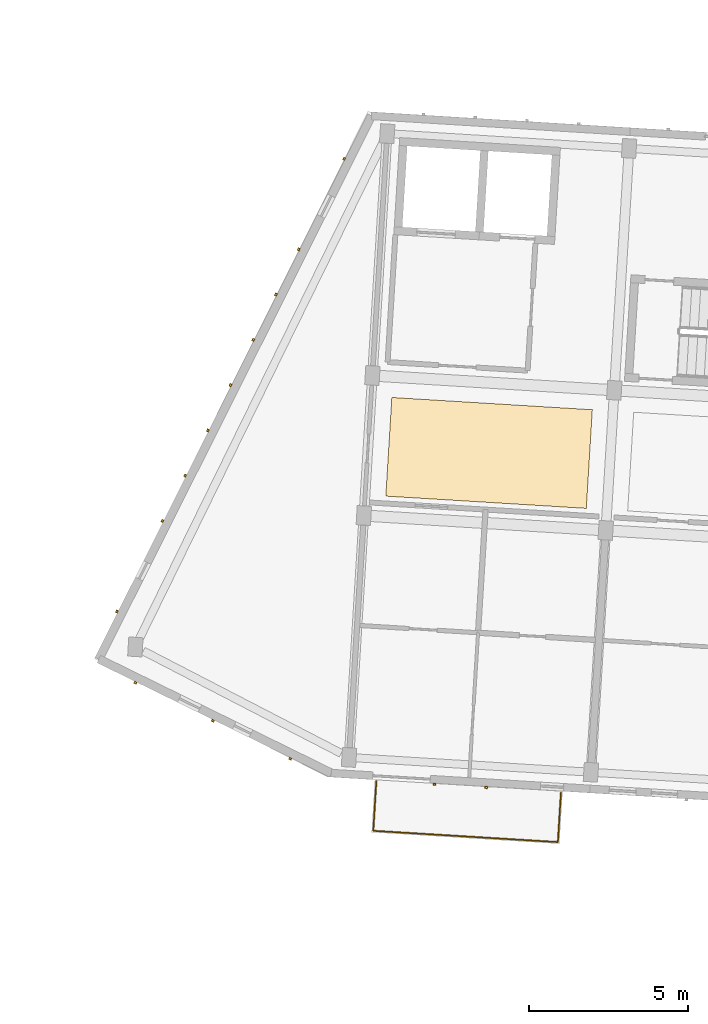
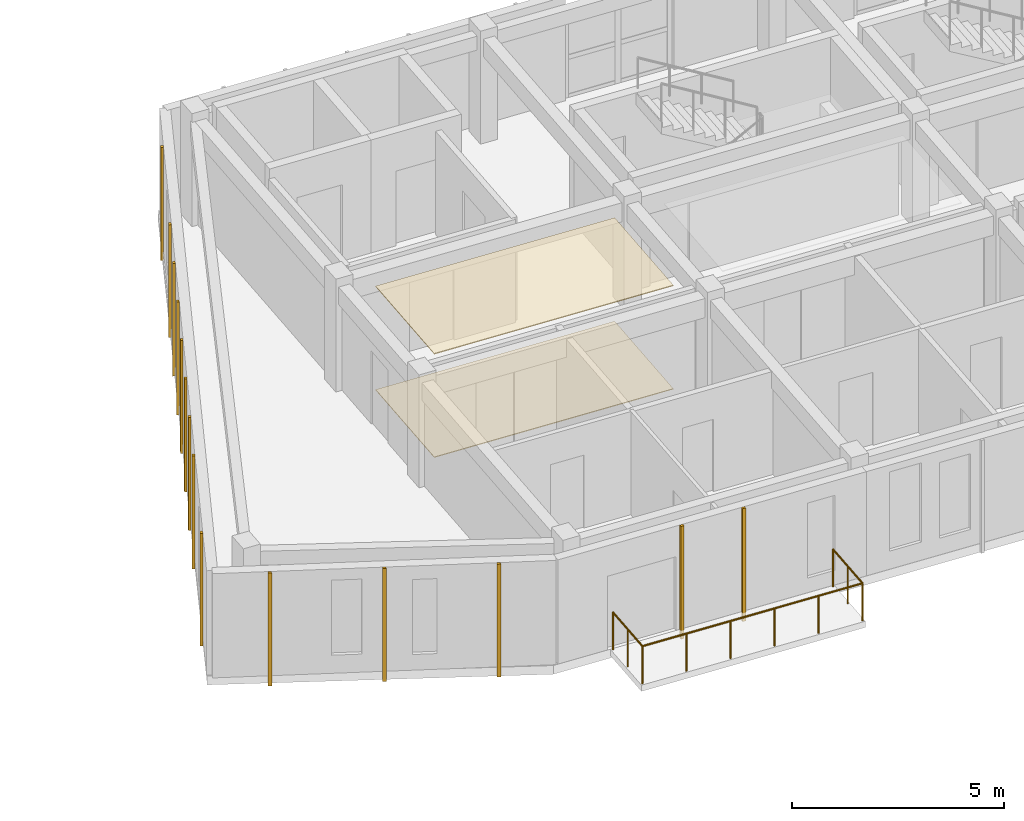
# One storey, part 39 of 65: 16 coverings, 1 railing.
"""IFC4 building model written with IfcOpenShell, lengths in metres."""

from ifc_helpers import new_model, si_unit, direction, frame, origin, origin_2d, place, context, subcontext, project, spatial, polyline, rectangle, circle, outline, extrude, material, layer, layer_set, type_object, element, save


model = new_model("IFC4")

# Units and contexts
model_context = context("Model", 3, precision=1e-05, world=origin(), true_north=direction((0.0, 1.0)))
body_context = subcontext(model_context, "Body", "Model", "MODEL_VIEW")
ifc_project = project(units=[si_unit("LENGTHUNIT", "METRE"), si_unit("AREAUNIT", "SQUARE_METRE"), si_unit("VOLUMEUNIT", "CUBIC_METRE"), si_unit("PLANEANGLEUNIT", "RADIAN"), si_unit("MASSUNIT", "GRAM", prefix="KILO")], contexts=[model_context])

# Site, building, storey
site_placement = place(None, origin())
site = spatial("IfcSite", under=ifc_project, at=site_placement, CompositionType="ELEMENT")
building_placement = place(site_placement, origin())
building = spatial("IfcBuilding", under=site, at=building_placement, Name="Kestramere Prow Commons", CompositionType="ELEMENT")
storey_placement = place(building_placement, frame((0.0, 0.0, 21.39990234375)))
storey = spatial("IfcBuildingStorey", under=building, at=storey_placement, Name="L06", CompositionType="ELEMENT", Elevation=21.39990234375)

# Coverings
ifc_material_1 = material(Name="Mineral Fibre Acoustic Ceiling Tile")
ifc_layer_1 = layer(ifc_material_1, 0.02490234375)
ifc_layer_set_1 = layer_set([ifc_layer_1], Name="Mineral Fibre Acoustic Ceiling Tile")
covering_type_1 = type_object("IfcCoveringType", Name="COV-CEIL-ACOUSTIC", PredefinedType="CEILING", material=ifc_layer_set_1)
covering_1_placement = place(storey_placement, frame((0.0, 0.0, 2.97509765625)))
element("IfcCovering", 1, at=covering_1_placement, inside=storey, type_object=covering_type_1, Name="Block C L06 Corridor Acoustic Ceiling 1", PredefinedType="CEILING", context=body_context, shape_type="SweptSolid", body=[
    extrude(outline(polyline([(60.65234375, 54.69482421875), (66.940673828125, 54.310302734375), (67.1298828125, 57.404541015625), (60.841796875, 57.7890625), (60.65234375, 54.69482421875)])), origin(), (0.0, 0.0, 1.0), 0.02490234375),
])
ifc_material_2 = material(Name="Weathered Zinc-Titanium Standing-Seam Cladding")
ifc_layer_2 = layer(ifc_material_2, 0.074951171875)
ifc_layer_set_2 = layer_set([ifc_layer_2], Name="Weathered Zinc-Titanium Standing-Seam Cladding")
covering_type_2 = type_object("IfcCoveringType", Name="COV-CLAD-SEAM", PredefinedType="CLADDING", material=ifc_layer_set_2)
for number, where, z_axis, x_axis, name in (
    (2, (63.800537109375, 45.55810546875, -0.25), (0.0, 0.0, 1.0), (-0.998134798422, 0.061048539535, 0.0), "EW-C-L06-S-0 Standing-Seam Rib 2"),
    (3, (62.178466796875, 45.657470703125, -0.25), (0.0, 0.0, 1.0), (-0.998134798422, 0.061048539535, 0.0), "EW-C-L06-S-0 Standing-Seam Rib 3"),
    (4, (57.6572265625, 46.458251953125, -0.25), (0.0, 0.0, 1.0), (-0.897770965065, 0.440462591245, 0.0), "EW-C-L06-PRW-S Standing-Seam Rib 1"),
    (5, (55.227294921875, 47.650390625, -0.25), (0.0, 0.0, 1.0), (-0.897770965065, 0.440462591245, 0.0), "EW-C-L06-PRW-S Standing-Seam Rib 3"),
    (6, (52.797119140625, 48.8427734375, -0.25), (0.0, 0.0, 1.0), (-0.897770965065, 0.440462591245, 0.0), "EW-C-L06-PRW-S Standing-Seam Rib 5"),
    (7, (52.220947265625, 51.0771484375, -0.25), (0.0, 0.0, 1.0), (0.448620327542, 0.893722441095, 0.0), "EW-C-L06-PRW-N Standing-Seam Rib 1"),
    (8, (53.646240234375, 53.916259765625, -0.25), (0.0, 0.0, 1.0), (0.448620327542, 0.893722441095, 0.0), "EW-C-L06-PRW-N Standing-Seam Rib 3"),
    (9, (54.358642578125, 55.3359375, -0.25), (0.0, 0.0, 1.0), (0.448620327542, 0.893722441095, 0.0), "EW-C-L06-PRW-N Standing-Seam Rib 4"),
    (10, (55.0712890625, 56.75537109375, -0.25), (0.0, 0.0, 1.0), (0.448620327542, 0.893722441095, 0.0), "EW-C-L06-PRW-N Standing-Seam Rib 5"),
    (11, (55.783935546875, 58.175048828125, -0.25), (0.0, 0.0, 1.0), (0.448620327542, 0.893722441095, 0.0), "EW-C-L06-PRW-N Standing-Seam Rib 6"),
    (12, (56.49658203125, 59.594482421875, -0.25), (0.0, 0.0, 1.0), (0.448620327542, 0.893722441095, 0.0), "EW-C-L06-PRW-N Standing-Seam Rib 7"),
    (13, (57.208984375, 61.01416015625, -0.25), (0.0, 0.0, 1.0), (0.448620327542, 0.893722441095, 0.0), "EW-C-L06-PRW-N Standing-Seam Rib 8"),
    (14, (57.921630859375, 62.433837890625, -0.25), (0.0, 0.0, 1.0), (0.448620327542, 0.893722441095, 0.0), "EW-C-L06-PRW-N Standing-Seam Rib 9"),
    (15, (59.3466796875, 65.27294921875, -0.25), (0.0, 0.0, 1.0), (0.448620327542, 0.893722441095, 0.0), "EW-C-L06-PRW-N Standing-Seam Rib 11"),
):
    element("IfcCovering", number, at=place(storey_placement, frame(where, z_axis=z_axis, x_axis=x_axis)), inside=storey, type_object=covering_type_2, Name=name, PredefinedType="CLADDING", context=body_context, shape_type="SweptSolid", body=[
        extrude(rectangle(XDim=0.0849609375, YDim=0.06494140625, at=origin_2d()), origin(), (0.0, 0.0, 1.0), 3.25),
    ])
ifc_material_3 = material(Name="Honed Cementitious Terrazzo Tile")
ifc_layer_3 = layer(ifc_material_3, 0.02001953125)
ifc_layer_set_3 = layer_set([ifc_layer_3], Name="Honed Cementitious Terrazzo Tile")
covering_type_3 = type_object("IfcCoveringType", Name="COV-FLOOR-TERRAZZO", PredefinedType="FLOORING", material=ifc_layer_set_3)
covering_2_placement = place(storey_placement, origin())
element("IfcCovering", 16, at=covering_2_placement, inside=storey, type_object=covering_type_3, Name="Block C L06 Corridor Terrazzo Flooring 1", PredefinedType="FLOORING", context=body_context, shape_type="SweptSolid", body=[
    extrude(outline(polyline([(60.65234375, 54.69482421875), (66.940673828125, 54.310302734375), (67.1298828125, 57.404541015625), (60.841796875, 57.7890625), (60.65234375, 54.69482421875)])), origin(), (0.0, 0.0, 1.0), 0.02001953125),
])

# Railing
ifc_material_4 = material(Name="Powder-Coated Aluminium 6063-T6", Category="aluminium")
railing_type = type_object("IfcRailingType", Name="GRD-BALC-1100", PredefinedType="BALUSTRADE", material=ifc_material_4)
railing_placement = place(storey_placement, frame((60.356201171875, 45.75634765625, 0.0)))
element("IfcRailing", 17, at=railing_placement, inside=storey, type_object=railing_type, Name="Block C L06 Balcony Guardrail 1", PredefinedType="BALUSTRADE", context=body_context, shape_type="SweptSolid", body=[
    extrude(circle(Radius=0.02392578125, at=origin_2d()), frame((0.0, 0.0, 1.076171875), z_axis=(-0.061033697925, -0.998135706063, 0.0), x_axis=(0.998135706063, -0.061033697925, 0.0)), (0.0, 0.0, 1.0), 1.56005859375),
    extrude(circle(Radius=0.02392578125, at=origin_2d()), frame((-0.09521484375, -1.55712890625, 1.076171875), z_axis=(0.998135537192, -0.061036459553, 0.0), x_axis=(0.061036459553, 0.998135537192, 0.0)), (0.0, 0.0, 1.0), 5.7998046875),
    extrude(circle(Radius=0.02392578125, at=origin_2d()), frame((5.69384765625, -1.9111328125, 1.076171875), z_axis=(0.061033697925, 0.998135706063, 0.0), x_axis=(-0.998135706063, 0.061033697925, 0.0)), (0.0, 0.0, 1.0), 1.56005859375),
    extrude(circle(Radius=0.02099609375, at=origin_2d()), origin(), (0.0, 0.0, 1.0), 1.052001953125),
    extrude(circle(Radius=0.02099609375, at=origin_2d()), frame((-0.047607421875, -0.778564453125, 0.0)), (0.0, 0.0, 1.0), 1.052001953125),
    extrude(circle(Radius=0.02099609375, at=origin_2d()), frame((-0.09521484375, -1.55712890625, 0.0)), (0.0, 0.0, 1.0), 1.052001953125),
    extrude(circle(Radius=0.02099609375, at=origin_2d()), frame((1.0625, -1.6279296875, 0.0)), (0.0, 0.0, 1.0), 1.052001953125),
    extrude(circle(Radius=0.02099609375, at=origin_2d()), frame((2.220458984375, -1.69873046875, 0.0)), (0.0, 0.0, 1.0), 1.052001953125),
    extrude(circle(Radius=0.02099609375, at=origin_2d()), frame((3.378173828125, -1.76953125, 0.0)), (0.0, 0.0, 1.0), 1.052001953125),
    extrude(circle(Radius=0.02099609375, at=origin_2d()), frame((4.5361328125, -1.84033203125, 0.0)), (0.0, 0.0, 1.0), 1.052001953125),
    extrude(circle(Radius=0.02099609375, at=origin_2d()), frame((5.69384765625, -1.9111328125, 0.0)), (0.0, 0.0, 1.0), 1.052001953125),
    extrude(circle(Radius=0.02099609375, at=origin_2d()), frame((5.741455078125, -1.132568359375, 0.0)), (0.0, 0.0, 1.0), 1.052001953125),
    extrude(circle(Radius=0.02099609375, at=origin_2d()), frame((5.7890625, -0.35400390625, 0.0)), (0.0, 0.0, 1.0), 1.052001953125),
])

save(model, "model.ifc")
